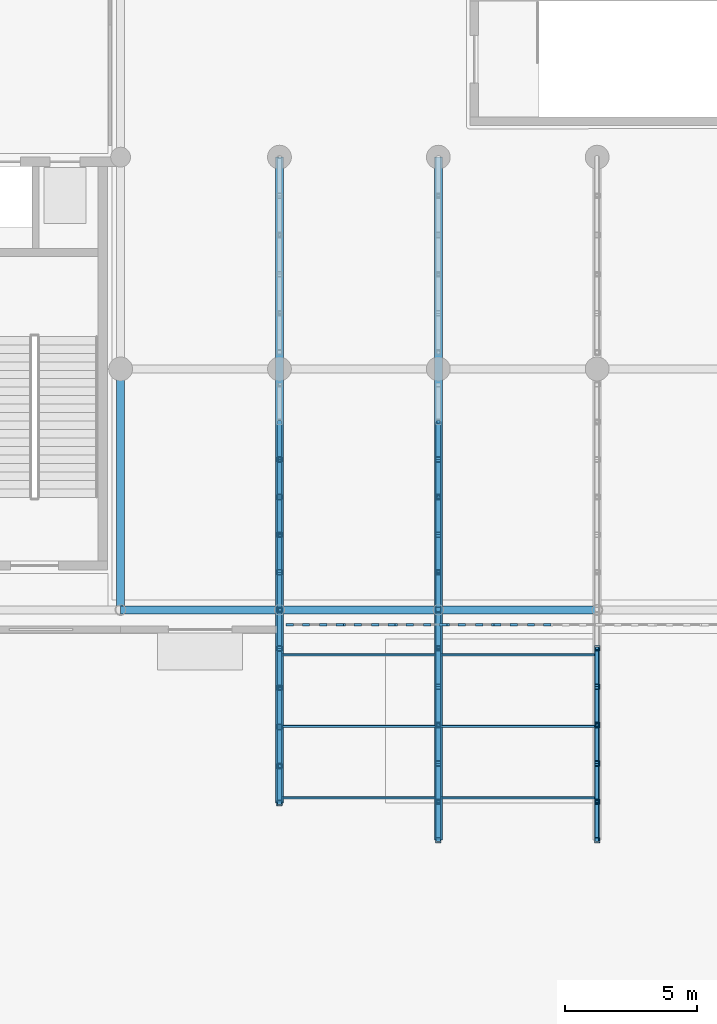
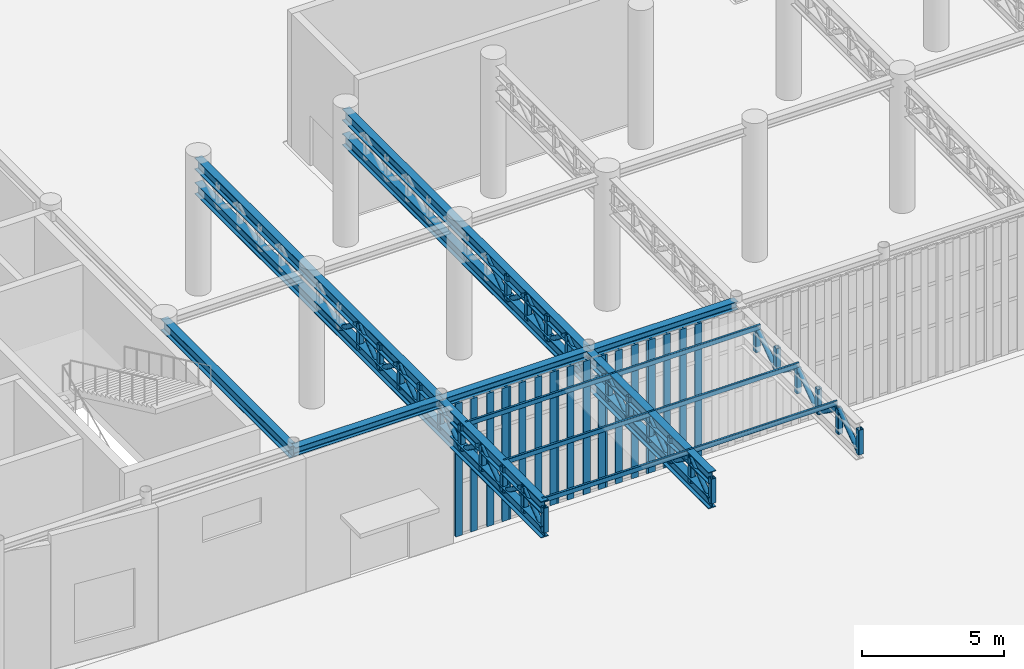
# One storey, part 22 of 118: 83 members, 4 beams, 5 elements without a shape of their own.
"""IFC4 building model written with IfcOpenShell, lengths in metres."""

from ifc_helpers import new_model, si_unit, direction, frame, origin, origin_2d, place, context, subcontext, project, spatial, rectangle, hollow_rectangle, hollow_circle, i_section, extrude, material, material_profile, profile_set, type_object, element, aggregate, save


model = new_model("IFC4")

# Units and contexts
model_context = context("Model", 3, precision=1e-05, world=origin(), true_north=direction((0.0, 1.0)))
body_context = subcontext(model_context, "Body", "Model", "MODEL_VIEW")
ifc_project = project(units=[si_unit("LENGTHUNIT", "METRE"), si_unit("AREAUNIT", "SQUARE_METRE"), si_unit("VOLUMEUNIT", "CUBIC_METRE"), si_unit("PLANEANGLEUNIT", "RADIAN"), si_unit("MASSUNIT", "GRAM", prefix="KILO")], contexts=[model_context])

# Site, building, storey
site_placement = place(None, origin())
site = spatial("IfcSite", under=ifc_project, at=site_placement, CompositionType="ELEMENT")
building_placement = place(site_placement, origin())
building = spatial("IfcBuilding", under=site, at=building_placement, Name="Kolvaren Corner Interchange", CompositionType="ELEMENT")
storey_placement = place(building_placement, origin())
storey = spatial("IfcBuildingStorey", under=building, at=storey_placement, Name="L01", CompositionType="ELEMENT", Elevation=0.0)

# Beams
ifc_material_1 = material(Name="Steel S355", Category="steel")
ifc_material_profile_1 = material_profile(ifc_material_1, i_section(OverallWidth=0.300048828125, OverallDepth=0.35009765625, WebThickness=0.010009765625, FlangeThickness=0.017578125, FilletRadius=0.027099609375, at=origin_2d()), Name="HEA 360")
ifc_profile_set_1 = profile_set([ifc_material_profile_1], Name="Steel S355")
beam_type_1 = type_object("IfcBeamType", Name="BM-HEA360", PredefinedType="BEAM", material=ifc_profile_set_1)
for number, where, z_axis, x_axis, name in (
    (1, (66.0, 24.89990234375, 5.574951171875), (1.0, 0.0, 0.0), (0.0, 1.0, 0.0), "Storey L01 Grid X Primary Girder 0214"),
    (2, (72.0, 24.89990234375, 5.574951171875), (1.0, 0.0, 0.0), (0.0, 1.0, 0.0), "Storey L01 Grid X Primary Girder 0215"),
    (3, (78.0, 24.89990234375, 5.574951171875), (1.0, 0.0, 0.0), (0.0, 1.0, 0.0), "Storey L01 Grid X Primary Girder 0216"),
):
    element("IfcBeam", number, at=place(storey_placement, frame(where, z_axis=z_axis, x_axis=x_axis)), inside=storey, type_object=beam_type_1, Name=name, PredefinedType="BEAM", context=body_context, shape_type="SweptSolid", body=[
        extrude(i_section(OverallWidth=0.300048828125, OverallDepth=0.35009765625, WebThickness=0.010009765625, FlangeThickness=0.017578125, FilletRadius=0.027099609375, at=origin_2d()), origin(), (0.0, 0.0, 1.0), 6.0),
    ])
ifc_material_2 = material(Name="Steel S355", Category="steel")
ifc_material_profile_2 = material_profile(ifc_material_2, i_section(OverallWidth=0.300048828125, OverallDepth=0.489990234375, WebThickness=0.011962890625, FlangeThickness=0.02294921875, FilletRadius=0.027099609375, at=origin_2d()), Name="HEA 500")
ifc_profile_set_2 = profile_set([ifc_material_profile_2], Name="Steel S355")
beam_type_2 = type_object("IfcBeamType", Name="BM-HEA500", PredefinedType="BEAM", material=ifc_profile_set_2)
beam_placement = place(storey_placement, frame((66.0, 24.89990234375, 5.5048828125), z_axis=(0.0, 1.0, 0.0), x_axis=(-1.0, 0.0, 0.0)))
element("IfcBeam", 4, at=beam_placement, inside=storey, type_object=beam_type_2, Name="Storey L01 Grid Y Primary Girder 0346", PredefinedType="BEAM", context=body_context, shape_type="SweptSolid", body=[
    extrude(i_section(OverallWidth=0.300048828125, OverallDepth=0.489990234375, WebThickness=0.011962890625, FlangeThickness=0.02294921875, FilletRadius=0.027099609375, at=origin_2d()), origin(), (0.0, 0.0, 1.0), 9.10009765625),
])

# Members
ifc_material_3 = material(Name="Steel S355", Category="steel")
ifc_material_profile_3 = material_profile(ifc_material_3, hollow_circle(Radius=0.096923828125, WallThickness=0.010009765625, at=origin_2d()), Name="CHS 193.7x10.0")
ifc_profile_set_3 = profile_set([ifc_material_profile_3], Name="Steel S355")
member_type_1 = type_object("IfcMemberType", Name="MEM-BR-CHS194", PredefinedType="BRACE", material=ifc_profile_set_3)
member_1_placement = place(storey_placement, frame((72.0, 17.60009765625, 4.409912109375), z_axis=(0.0, 0.797221916597, 0.6036863554), x_axis=(-1.0, 0.0, 0.0)))
element("IfcMember", 5, at=member_1_placement, inside=storey, type_object=member_type_1, Name="South Portal Cantilever Roof Truss L02 Line 1 Diagonal 01", PredefinedType="BRACE", context=body_context, shape_type="SweptSolid", body=[
    extrude(hollow_circle(Radius=0.096923828125, WallThickness=0.010009765625, at=origin_2d()), origin(), (0.0, 0.0, 1.0), 1.755859375),
])
for number, where, z_axis, x_axis, name in (
    (6, (72.0, 19.0, 5.469970703125), (0.0, 0.812971611599, -0.582303321934), (-1.0, 0.0, 0.0), "South Portal Cantilever Roof Truss L02 Line 1 Diagonal 02"),
    (7, (72.0, 20.47998046875, 4.409912109375), (0.0, 0.812971611599, 0.582303321934), (-1.0, 0.0, 0.0), "South Portal Cantilever Roof Truss L02 Line 1 Diagonal 03"),
    (8, (72.0, 21.9599609375, 5.469970703125), (0.0, 0.812971611599, -0.582303321934), (-1.0, 0.0, 0.0), "South Portal Cantilever Roof Truss L02 Line 1 Diagonal 04"),
):
    element("IfcMember", number, at=place(storey_placement, frame(where, z_axis=z_axis, x_axis=x_axis)), inside=storey, type_object=member_type_1, Name=name, PredefinedType="BRACE", context=body_context, shape_type="SweptSolid", body=[
        extrude(hollow_circle(Radius=0.096923828125, WallThickness=0.010009765625, at=origin_2d()), origin(), (0.0, 0.0, 1.0), 1.820556640625),
    ])
member_2_placement = place(storey_placement, frame((72.0, 23.43994140625, 4.409912109375), z_axis=(0.0, 0.809192259471, 0.58754394492), x_axis=(-1.0, 0.0, 0.0)))
element("IfcMember", 9, at=member_2_placement, inside=storey, type_object=member_type_1, Name="South Portal Cantilever Roof Truss L02 Line 1 Diagonal 05", PredefinedType="BRACE", context=body_context, shape_type="SweptSolid", body=[
    extrude(hollow_circle(Radius=0.096923828125, WallThickness=0.010009765625, at=origin_2d()), origin(), (0.0, 0.0, 1.0), 1.80419921875),
])
member_3_placement = place(storey_placement, frame((72.0, 24.89990234375, 5.469970703125), z_axis=(0.0, 0.801370032118, -0.598168932346), x_axis=(-1.0, 0.0, 0.0)))
element("IfcMember", 10, at=member_3_placement, inside=storey, type_object=member_type_1, Name="South Portal Cantilever Roof Truss L02 Line 1 Diagonal 06", PredefinedType="BRACE", context=body_context, shape_type="SweptSolid", body=[
    extrude(hollow_circle(Radius=0.096923828125, WallThickness=0.010009765625, at=origin_2d()), origin(), (0.0, 0.0, 1.0), 1.772216796875),
])
for number, where, z_axis, x_axis, name in (
    (11, (72.0, 26.320068359375, 4.409912109375), (0.0, 0.801320731352, 0.59823497516), (-1.0, 0.0, 0.0), "South Portal Cantilever Roof Truss L02 Line 1 Diagonal 07"),
    (12, (72.0, 27.739990234375, 5.469970703125), (0.0, 0.801320731352, -0.59823497516), (-1.0, 0.0, 0.0), "South Portal Cantilever Roof Truss L02 Line 1 Diagonal 08"),
):
    element("IfcMember", number, at=place(storey_placement, frame(where, z_axis=z_axis, x_axis=x_axis)), inside=storey, type_object=member_type_1, Name=name, PredefinedType="BRACE", context=body_context, shape_type="SweptSolid", body=[
        extrude(hollow_circle(Radius=0.096923828125, WallThickness=0.010009765625, at=origin_2d()), origin(), (0.0, 0.0, 1.0), 1.77197265625),
    ])
member_4_placement = place(storey_placement, frame((72.0, 29.159912109375, 4.409912109375), z_axis=(0.0, 0.801370032118, 0.598168932346), x_axis=(-1.0, 0.0, 0.0)))
element("IfcMember", 13, at=member_4_placement, inside=storey, type_object=member_type_1, Name="South Portal Cantilever Roof Truss L02 Line 1 Diagonal 09", PredefinedType="BRACE", context=body_context, shape_type="SweptSolid", body=[
    extrude(hollow_circle(Radius=0.096923828125, WallThickness=0.010009765625, at=origin_2d()), origin(), (0.0, 0.0, 1.0), 1.772216796875),
])
member_5_placement = place(storey_placement, frame((72.0, 30.580078125, 5.469970703125), z_axis=(0.0, 0.801320731352, -0.59823497516), x_axis=(-1.0, 0.0, 0.0)))
element("IfcMember", 14, at=member_5_placement, inside=storey, type_object=member_type_1, Name="South Portal Cantilever Roof Truss L02 Line 1 Diagonal 10", PredefinedType="BRACE", context=body_context, shape_type="SweptSolid", body=[
    extrude(hollow_circle(Radius=0.096923828125, WallThickness=0.010009765625, at=origin_2d()), origin(), (0.0, 0.0, 1.0), 1.77197265625),
])
member_6_placement = place(storey_placement, frame((78.0, 16.199951171875, 4.409912109375), z_axis=(0.0, 0.807264090797, 0.590190382597), x_axis=(-1.0, 0.0, 0.0)))
element("IfcMember", 15, at=member_6_placement, inside=storey, type_object=member_type_1, Name="South Portal Cantilever Roof Truss L02 Line 2 Diagonal 01", PredefinedType="BRACE", context=body_context, shape_type="SweptSolid", body=[
    extrude(hollow_circle(Radius=0.096923828125, WallThickness=0.010009765625, at=origin_2d()), origin(), (0.0, 0.0, 1.0), 1.796142578125),
])
member_7_placement = place(storey_placement, frame((78.0, 17.64990234375, 5.469970703125), z_axis=(0.0, 0.807311429362, -0.590125627321), x_axis=(-1.0, 0.0, 0.0)))
element("IfcMember", 16, at=member_7_placement, inside=storey, type_object=member_type_1, Name="South Portal Cantilever Roof Truss L02 Line 2 Diagonal 02", PredefinedType="BRACE", context=body_context, shape_type="SweptSolid", body=[
    extrude(hollow_circle(Radius=0.096923828125, WallThickness=0.010009765625, at=origin_2d()), origin(), (0.0, 0.0, 1.0), 1.79638671875),
])
for number, where, z_axis, x_axis, name in (
    (17, (78.0, 19.10009765625, 4.409912109375), (0.0, 0.807264090797, 0.590190382597), (-1.0, 0.0, 0.0), "South Portal Cantilever Roof Truss L02 Line 2 Diagonal 03"),
    (18, (78.0, 20.550048828125, 5.469970703125), (0.0, 0.807264090797, -0.590190382597), (-1.0, 0.0, 0.0), "South Portal Cantilever Roof Truss L02 Line 2 Diagonal 04"),
    (19, (78.0, 22.0, 4.409912109375), (0.0, 0.807264090797, 0.590190382597), (-1.0, 0.0, 0.0), "South Portal Cantilever Roof Truss L02 Line 2 Diagonal 05"),
    (20, (78.0, 23.449951171875, 5.469970703125), (0.0, 0.807264090797, -0.590190382597), (-1.0, 0.0, 0.0), "South Portal Cantilever Roof Truss L02 Line 2 Diagonal 06"),
):
    element("IfcMember", number, at=place(storey_placement, frame(where, z_axis=z_axis, x_axis=x_axis)), inside=storey, type_object=member_type_1, Name=name, PredefinedType="BRACE", context=body_context, shape_type="SweptSolid", body=[
        extrude(hollow_circle(Radius=0.096923828125, WallThickness=0.010009765625, at=origin_2d()), origin(), (0.0, 0.0, 1.0), 1.796142578125),
    ])
member_8_placement = place(storey_placement, frame((78.0, 24.89990234375, 4.409912109375), z_axis=(0.0, 0.801370032118, 0.598168932346), x_axis=(-1.0, 0.0, 0.0)))
element("IfcMember", 21, at=member_8_placement, inside=storey, type_object=member_type_1, Name="South Portal Cantilever Roof Truss L02 Line 2 Diagonal 07", PredefinedType="BRACE", context=body_context, shape_type="SweptSolid", body=[
    extrude(hollow_circle(Radius=0.096923828125, WallThickness=0.010009765625, at=origin_2d()), origin(), (0.0, 0.0, 1.0), 1.772216796875),
])
for number, where, z_axis, x_axis, name in (
    (22, (78.0, 26.320068359375, 5.469970703125), (0.0, 0.801320731352, -0.59823497516), (-1.0, 0.0, 0.0), "South Portal Cantilever Roof Truss L02 Line 2 Diagonal 08"),
    (23, (78.0, 27.739990234375, 4.409912109375), (0.0, 0.801320731352, 0.59823497516), (-1.0, 0.0, 0.0), "South Portal Cantilever Roof Truss L02 Line 2 Diagonal 09"),
):
    element("IfcMember", number, at=place(storey_placement, frame(where, z_axis=z_axis, x_axis=x_axis)), inside=storey, type_object=member_type_1, Name=name, PredefinedType="BRACE", context=body_context, shape_type="SweptSolid", body=[
        extrude(hollow_circle(Radius=0.096923828125, WallThickness=0.010009765625, at=origin_2d()), origin(), (0.0, 0.0, 1.0), 1.77197265625),
    ])
member_9_placement = place(storey_placement, frame((78.0, 29.159912109375, 5.469970703125), z_axis=(0.0, 0.801370032118, -0.598168932346), x_axis=(-1.0, 0.0, 0.0)))
element("IfcMember", 24, at=member_9_placement, inside=storey, type_object=member_type_1, Name="South Portal Cantilever Roof Truss L02 Line 2 Diagonal 10", PredefinedType="BRACE", context=body_context, shape_type="SweptSolid", body=[
    extrude(hollow_circle(Radius=0.096923828125, WallThickness=0.010009765625, at=origin_2d()), origin(), (0.0, 0.0, 1.0), 1.772216796875),
])
member_10_placement = place(storey_placement, frame((78.0, 30.580078125, 4.409912109375), z_axis=(0.0, 0.801320731352, 0.59823497516), x_axis=(-1.0, 0.0, 0.0)))
element("IfcMember", 25, at=member_10_placement, inside=storey, type_object=member_type_1, Name="South Portal Cantilever Roof Truss L02 Line 2 Diagonal 11", PredefinedType="BRACE", context=body_context, shape_type="SweptSolid", body=[
    extrude(hollow_circle(Radius=0.096923828125, WallThickness=0.010009765625, at=origin_2d()), origin(), (0.0, 0.0, 1.0), 1.77197265625),
])
member_11_placement = place(storey_placement, frame((84.0, 16.199951171875, 4.409912109375), z_axis=(0.0, 0.807264090797, 0.590190382597), x_axis=(-1.0, 0.0, 0.0)))
element("IfcMember", 26, at=member_11_placement, inside=storey, type_object=member_type_1, Name="South Portal Cantilever Roof Truss L02 Line 3 Diagonal 01", PredefinedType="BRACE", context=body_context, shape_type="SweptSolid", body=[
    extrude(hollow_circle(Radius=0.096923828125, WallThickness=0.010009765625, at=origin_2d()), origin(), (0.0, 0.0, 1.0), 1.796142578125),
])
member_12_placement = place(storey_placement, frame((84.0, 17.64990234375, 5.469970703125), z_axis=(0.0, 0.807311429362, -0.590125627321), x_axis=(-1.0, 0.0, 0.0)))
element("IfcMember", 27, at=member_12_placement, inside=storey, type_object=member_type_1, Name="South Portal Cantilever Roof Truss L02 Line 3 Diagonal 02", PredefinedType="BRACE", context=body_context, shape_type="SweptSolid", body=[
    extrude(hollow_circle(Radius=0.096923828125, WallThickness=0.010009765625, at=origin_2d()), origin(), (0.0, 0.0, 1.0), 1.79638671875),
])
for number, where, z_axis, x_axis, name in (
    (28, (84.0, 19.10009765625, 4.409912109375), (0.0, 0.807264090797, 0.590190382597), (-1.0, 0.0, 0.0), "South Portal Cantilever Roof Truss L02 Line 3 Diagonal 03"),
    (29, (84.0, 20.550048828125, 5.469970703125), (0.0, 0.807264090797, -0.590190382597), (-1.0, 0.0, 0.0), "South Portal Cantilever Roof Truss L02 Line 3 Diagonal 04"),
    (30, (84.0, 22.0, 4.409912109375), (0.0, 0.807264090797, 0.590190382597), (-1.0, 0.0, 0.0), "South Portal Cantilever Roof Truss L02 Line 3 Diagonal 05"),
):
    element("IfcMember", number, at=place(storey_placement, frame(where, z_axis=z_axis, x_axis=x_axis)), inside=storey, type_object=member_type_1, Name=name, PredefinedType="BRACE", context=body_context, shape_type="SweptSolid", body=[
        extrude(hollow_circle(Radius=0.096923828125, WallThickness=0.010009765625, at=origin_2d()), origin(), (0.0, 0.0, 1.0), 1.796142578125),
    ])
ifc_material_4 = material(Name="Steel S355", Category="steel")
ifc_material_profile_4 = material_profile(ifc_material_4, i_section(OverallWidth=0.300048828125, OverallDepth=0.5, WebThickness=0.014404296875, FlangeThickness=0.028076171875, FilletRadius=0.027099609375, at=origin_2d()), Name="HEB 500")
ifc_profile_set_4 = profile_set([ifc_material_profile_4], Name="Steel S355")
member_type_2 = type_object("IfcMemberType", Name="MEM-CH-HEB500", PredefinedType="CHORD", material=ifc_profile_set_4)
for number, where, z_axis, x_axis, name in (
    (31, (72.0, 17.60009765625, 5.469970703125), (0.0, 1.0, 0.0), (-1.0, 0.0, 0.0), "South Portal Cantilever Roof Truss L02 Line 1 Top Chord"),
    (32, (72.0, 17.60009765625, 4.409912109375), (0.0, 1.0, 0.0), (-1.0, 0.0, 0.0), "South Portal Cantilever Roof Truss L02 Line 1 Bottom Chord"),
):
    element("IfcMember", number, at=place(storey_placement, frame(where, z_axis=z_axis, x_axis=x_axis)), inside=storey, type_object=member_type_2, Name=name, PredefinedType="CHORD", context=body_context, shape_type="SweptSolid", body=[
        extrude(i_section(OverallWidth=0.300048828125, OverallDepth=0.5, WebThickness=0.014404296875, FlangeThickness=0.028076171875, FilletRadius=0.027099609375, at=origin_2d()), origin(), (0.0, 0.0, 1.0), 24.39990234375),
    ])
for number, where, z_axis, x_axis, name in (
    (33, (78.0, 16.199951171875, 5.469970703125), (0.0, 1.0, 0.0), (-1.0, 0.0, 0.0), "South Portal Cantilever Roof Truss L02 Line 2 Top Chord"),
    (34, (78.0, 16.199951171875, 4.409912109375), (0.0, 1.0, 0.0), (-1.0, 0.0, 0.0), "South Portal Cantilever Roof Truss L02 Line 2 Bottom Chord"),
):
    element("IfcMember", number, at=place(storey_placement, frame(where, z_axis=z_axis, x_axis=x_axis)), inside=storey, type_object=member_type_2, Name=name, PredefinedType="CHORD", context=body_context, shape_type="SweptSolid", body=[
        extrude(i_section(OverallWidth=0.300048828125, OverallDepth=0.5, WebThickness=0.014404296875, FlangeThickness=0.028076171875, FilletRadius=0.027099609375, at=origin_2d()), origin(), (0.0, 0.0, 1.0), 25.800048828125),
    ])
ifc_material_5 = material(Name="Steel S355", Category="steel")
ifc_material_profile_5 = material_profile(ifc_material_5, hollow_rectangle(XDim=0.10009765625, YDim=0.199951171875, WallThickness=0.008056640625, InnerFilletRadius=0.008056640625, OuterFilletRadius=0.01611328125, at=origin_2d()), Name="RHS 200x100x8.0")
ifc_profile_set_5 = profile_set([ifc_material_profile_5], Name="Steel S355")
member_type_3 = type_object("IfcMemberType", Name="MEM-PR-RHS200", PredefinedType="PURLIN", material=ifc_profile_set_5)
for number, where, z_axis, x_axis, name in (
    (35, (72.0, 17.800048828125, 5.6201171875), (1.0, 0.0, 0.0), (0.0, 1.0, 0.0), "South Portal Cantilever Roof Truss L02 Purlin 1 Bay 72"),
    (36, (78.0, 17.800048828125, 5.6201171875), (1.0, 0.0, 0.0), (0.0, 1.0, 0.0), "South Portal Cantilever Roof Truss L02 Purlin 1 Bay 78"),
    (37, (72.0, 20.5, 5.6201171875), (1.0, 0.0, 0.0), (0.0, 1.0, 0.0), "South Portal Cantilever Roof Truss L02 Purlin 2 Bay 72"),
    (38, (78.0, 20.5, 5.6201171875), (1.0, 0.0, 0.0), (0.0, 1.0, 0.0), "South Portal Cantilever Roof Truss L02 Purlin 2 Bay 78"),
    (39, (72.0, 23.199951171875, 5.6201171875), (1.0, 0.0, 0.0), (0.0, 1.0, 0.0), "South Portal Cantilever Roof Truss L02 Purlin 3 Bay 72"),
    (40, (78.0, 23.199951171875, 5.6201171875), (1.0, 0.0, 0.0), (0.0, 1.0, 0.0), "South Portal Cantilever Roof Truss L02 Purlin 3 Bay 78"),
):
    element("IfcMember", number, at=place(storey_placement, frame(where, z_axis=z_axis, x_axis=x_axis)), inside=storey, type_object=member_type_3, Name=name, PredefinedType="PURLIN", context=body_context, shape_type="SweptSolid", body=[
        extrude(hollow_rectangle(XDim=0.10009765625, YDim=0.199951171875, WallThickness=0.008056640625, InnerFilletRadius=0.008056640625, OuterFilletRadius=0.01611328125, at=origin_2d()), origin(), (0.0, 0.0, 1.0), 6.0),
    ])
ifc_material_6 = material(Name="Steel S355", Category="steel")
ifc_material_profile_6 = material_profile(ifc_material_6, hollow_rectangle(XDim=0.199951171875, YDim=0.199951171875, WallThickness=0.010009765625, InnerFilletRadius=0.010009765625, OuterFilletRadius=0.02001953125, at=origin_2d()), Name="SHS 200x200x10.0")
ifc_profile_set_6 = profile_set([ifc_material_profile_6], Name="Steel S355")
member_type_4 = type_object("IfcMemberType", Name="MEM-PT-SHS200", PredefinedType="POST", material=ifc_profile_set_6)
for number, where, z_axis, x_axis, name in (
    (41, (72.0, 17.60009765625, 4.409912109375), (0.0, 0.0, 1.0), (1.0, 0.0, 0.0), "South Portal Cantilever Roof Truss L02 Line 1 Web Post 01"),
    (42, (72.0, 19.0, 4.409912109375), (0.0, 0.0, 1.0), (1.0, 0.0, 0.0), "South Portal Cantilever Roof Truss L02 Line 1 Web Post 02"),
    (43, (72.0, 20.47998046875, 4.409912109375), (0.0, 0.0, 1.0), (1.0, 0.0, 0.0), "South Portal Cantilever Roof Truss L02 Line 1 Web Post 03"),
    (44, (72.0, 21.9599609375, 4.409912109375), (0.0, 0.0, 1.0), (1.0, 0.0, 0.0), "South Portal Cantilever Roof Truss L02 Line 1 Web Post 04"),
    (45, (72.0, 23.43994140625, 4.409912109375), (0.0, 0.0, 1.0), (1.0, 0.0, 0.0), "South Portal Cantilever Roof Truss L02 Line 1 Web Post 05"),
    (46, (72.0, 24.89990234375, 4.409912109375), (0.0, 0.0, 1.0), (1.0, 0.0, 0.0), "South Portal Cantilever Roof Truss L02 Line 1 Web Post 06"),
    (47, (72.0, 26.320068359375, 4.409912109375), (0.0, 0.0, 1.0), (1.0, 0.0, 0.0), "South Portal Cantilever Roof Truss L02 Line 1 Web Post 07"),
    (48, (72.0, 27.739990234375, 4.409912109375), (0.0, 0.0, 1.0), (1.0, 0.0, 0.0), "South Portal Cantilever Roof Truss L02 Line 1 Web Post 08"),
    (49, (72.0, 29.159912109375, 4.409912109375), (0.0, 0.0, 1.0), (1.0, 0.0, 0.0), "South Portal Cantilever Roof Truss L02 Line 1 Web Post 09"),
    (50, (72.0, 30.580078125, 4.409912109375), (0.0, 0.0, 1.0), (1.0, 0.0, 0.0), "South Portal Cantilever Roof Truss L02 Line 1 Web Post 10"),
    (51, (78.0, 16.199951171875, 4.409912109375), (0.0, 0.0, 1.0), (1.0, 0.0, 0.0), "South Portal Cantilever Roof Truss L02 Line 2 Web Post 01"),
    (52, (78.0, 17.64990234375, 4.409912109375), (0.0, 0.0, 1.0), (1.0, 0.0, 0.0), "South Portal Cantilever Roof Truss L02 Line 2 Web Post 02"),
    (53, (78.0, 19.10009765625, 4.409912109375), (0.0, 0.0, 1.0), (1.0, 0.0, 0.0), "South Portal Cantilever Roof Truss L02 Line 2 Web Post 03"),
    (54, (78.0, 20.550048828125, 4.409912109375), (0.0, 0.0, 1.0), (1.0, 0.0, 0.0), "South Portal Cantilever Roof Truss L02 Line 2 Web Post 04"),
    (55, (78.0, 22.0, 4.409912109375), (0.0, 0.0, 1.0), (1.0, 0.0, 0.0), "South Portal Cantilever Roof Truss L02 Line 2 Web Post 05"),
    (56, (78.0, 23.449951171875, 4.409912109375), (0.0, 0.0, 1.0), (1.0, 0.0, 0.0), "South Portal Cantilever Roof Truss L02 Line 2 Web Post 06"),
    (57, (78.0, 24.89990234375, 4.409912109375), (0.0, 0.0, 1.0), (1.0, 0.0, 0.0), "South Portal Cantilever Roof Truss L02 Line 2 Web Post 07"),
    (58, (78.0, 26.320068359375, 4.409912109375), (0.0, 0.0, 1.0), (1.0, 0.0, 0.0), "South Portal Cantilever Roof Truss L02 Line 2 Web Post 08"),
    (59, (78.0, 27.739990234375, 4.409912109375), (0.0, 0.0, 1.0), (1.0, 0.0, 0.0), "South Portal Cantilever Roof Truss L02 Line 2 Web Post 09"),
    (60, (78.0, 29.159912109375, 4.409912109375), (0.0, 0.0, 1.0), (1.0, 0.0, 0.0), "South Portal Cantilever Roof Truss L02 Line 2 Web Post 10"),
    (61, (78.0, 30.580078125, 4.409912109375), (0.0, 0.0, 1.0), (1.0, 0.0, 0.0), "South Portal Cantilever Roof Truss L02 Line 2 Web Post 11"),
    (62, (84.0, 16.199951171875, 4.409912109375), (0.0, 0.0, 1.0), (1.0, 0.0, 0.0), "South Portal Cantilever Roof Truss L02 Line 3 Web Post 01"),
    (63, (84.0, 17.64990234375, 4.409912109375), (0.0, 0.0, 1.0), (1.0, 0.0, 0.0), "South Portal Cantilever Roof Truss L02 Line 3 Web Post 02"),
    (64, (84.0, 19.10009765625, 4.409912109375), (0.0, 0.0, 1.0), (1.0, 0.0, 0.0), "South Portal Cantilever Roof Truss L02 Line 3 Web Post 03"),
    (65, (84.0, 20.550048828125, 4.409912109375), (0.0, 0.0, 1.0), (1.0, 0.0, 0.0), "South Portal Cantilever Roof Truss L02 Line 3 Web Post 04"),
    (66, (84.0, 22.0, 4.409912109375), (0.0, 0.0, 1.0), (1.0, 0.0, 0.0), "South Portal Cantilever Roof Truss L02 Line 3 Web Post 05"),
    (67, (84.0, 23.449951171875, 4.409912109375), (0.0, 0.0, 1.0), (1.0, 0.0, 0.0), "South Portal Cantilever Roof Truss L02 Line 3 Web Post 06"),
):
    element("IfcMember", number, at=place(storey_placement, frame(where, z_axis=z_axis, x_axis=x_axis)), inside=storey, type_object=member_type_4, Name=name, PredefinedType="POST", context=body_context, shape_type="SweptSolid", body=[
        extrude(hollow_rectangle(XDim=0.199951171875, YDim=0.199951171875, WallThickness=0.010009765625, InnerFilletRadius=0.010009765625, OuterFilletRadius=0.02001953125, at=origin_2d()), origin(), (0.0, 0.0, 1.0), 1.06005859375),
    ])

# Curtain wall, members
ifc_material_7 = material(Name="Unitised Aluminium and Solar-Control Glass Curtain Wall", Category="aluminium")
curtain_wall_type = type_object("IfcCurtainWallType", Name="CW-V1-PORTAL", PredefinedType="NOTDEFINED", material=ifc_material_7)
curtain_wall_1_placement = place(storey_placement, origin())
curtain_wall_1 = element("IfcCurtainWall", 68, at=curtain_wall_1_placement, inside=storey, type_object=curtain_wall_type, Name="South Portal Ground Curtain Wall Bay 01", PredefinedType="NOTDEFINED")
ifc_material_8 = material(Name="Anodised Aluminium Framing", Category="aluminium")
ifc_material_profile_7 = material_profile(ifc_material_8, rectangle(XDim=0.080078125, YDim=0.280029296875, at=origin_2d()), Name="ALU 80x280")
ifc_profile_set_7 = profile_set([ifc_material_profile_7], Name="Anodised Aluminium Framing")
member_type_5 = type_object("IfcMemberType", Name="MUL-ALU80x280", PredefinedType="MULLION", material=ifc_profile_set_7)
member_13_placement = place(storey_placement, frame((72.389892578125, 24.340087890625, 0.0), z_axis=(0.0, 0.0, 1.0), x_axis=(0.0, 1.0, 0.0)))
member_13 = element("IfcMember", 69, at=member_13_placement, type_object=member_type_5, Name="CW-001 mullion 1", PredefinedType="MULLION", context=body_context, shape_type="SweptSolid", body=[
    extrude(rectangle(XDim=0.080078125, YDim=0.280029296875, at=origin_2d()), origin(), (0.0, 0.0, 1.0), 5.719970703125),
])
member_14_placement = place(storey_placement, frame((73.003662109375, 24.340087890625, 0.0), z_axis=(0.0, 0.0, 1.0), x_axis=(0.0, 1.0, 0.0)))
member_14 = element("IfcMember", 70, at=member_14_placement, type_object=member_type_5, Name="CW-001 mullion 2", PredefinedType="MULLION", context=body_context, shape_type="SweptSolid", body=[
    extrude(rectangle(XDim=0.080078125, YDim=0.280029296875, at=origin_2d()), origin(), (0.0, 0.0, 1.0), 5.719970703125),
])
member_15_placement = place(storey_placement, frame((73.657470703125, 24.340087890625, 0.0), z_axis=(0.0, 0.0, 1.0), x_axis=(0.0, 1.0, 0.0)))
member_15 = element("IfcMember", 71, at=member_15_placement, type_object=member_type_5, Name="CW-001 mullion 3", PredefinedType="MULLION", context=body_context, shape_type="SweptSolid", body=[
    extrude(rectangle(XDim=0.080078125, YDim=0.280029296875, at=origin_2d()), origin(), (0.0, 0.0, 1.0), 5.719970703125),
])
member_16_placement = place(storey_placement, frame((74.27099609375, 24.340087890625, 0.0), z_axis=(0.0, 0.0, 1.0), x_axis=(0.0, 1.0, 0.0)))
member_16 = element("IfcMember", 72, at=member_16_placement, type_object=member_type_5, Name="CW-001 mullion 4", PredefinedType="MULLION", context=body_context, shape_type="SweptSolid", body=[
    extrude(rectangle(XDim=0.080078125, YDim=0.280029296875, at=origin_2d()), origin(), (0.0, 0.0, 1.0), 5.719970703125),
])
aggregate(curtain_wall_1, [member_13, member_14, member_15, member_16])

curtain_wall_2_placement = place(storey_placement, origin())
curtain_wall_2 = element("IfcCurtainWall", 73, at=curtain_wall_2_placement, inside=storey, type_object=curtain_wall_type, Name="South Portal Ground Curtain Wall Bay 02", PredefinedType="NOTDEFINED")
member_17_placement = place(storey_placement, frame((74.35107421875, 24.340087890625, 0.0), z_axis=(0.0, 0.0, 1.0), x_axis=(0.0, 1.0, 0.0)))
member_17 = element("IfcMember", 74, at=member_17_placement, type_object=member_type_5, Name="CW-002 mullion 1", PredefinedType="MULLION", context=body_context, shape_type="SweptSolid", body=[
    extrude(rectangle(XDim=0.080078125, YDim=0.280029296875, at=origin_2d()), origin(), (0.0, 0.0, 1.0), 5.719970703125),
])
member_18_placement = place(storey_placement, frame((74.96484375, 24.340087890625, 0.0), z_axis=(0.0, 0.0, 1.0), x_axis=(0.0, 1.0, 0.0)))
member_18 = element("IfcMember", 75, at=member_18_placement, type_object=member_type_5, Name="CW-002 mullion 2", PredefinedType="MULLION", context=body_context, shape_type="SweptSolid", body=[
    extrude(rectangle(XDim=0.080078125, YDim=0.280029296875, at=origin_2d()), origin(), (0.0, 0.0, 1.0), 5.719970703125),
])
member_19_placement = place(storey_placement, frame((75.618408203125, 24.340087890625, 0.0), z_axis=(0.0, 0.0, 1.0), x_axis=(0.0, 1.0, 0.0)))
member_19 = element("IfcMember", 76, at=member_19_placement, type_object=member_type_5, Name="CW-002 mullion 3", PredefinedType="MULLION", context=body_context, shape_type="SweptSolid", body=[
    extrude(rectangle(XDim=0.080078125, YDim=0.280029296875, at=origin_2d()), origin(), (0.0, 0.0, 1.0), 5.719970703125),
])
member_20_placement = place(storey_placement, frame((76.232177734375, 24.340087890625, 0.0), z_axis=(0.0, 0.0, 1.0), x_axis=(0.0, 1.0, 0.0)))
member_20 = element("IfcMember", 77, at=member_20_placement, type_object=member_type_5, Name="CW-002 mullion 4", PredefinedType="MULLION", context=body_context, shape_type="SweptSolid", body=[
    extrude(rectangle(XDim=0.080078125, YDim=0.280029296875, at=origin_2d()), origin(), (0.0, 0.0, 1.0), 5.719970703125),
])
aggregate(curtain_wall_2, [member_17, member_18, member_19, member_20])

curtain_wall_3_placement = place(storey_placement, origin())
curtain_wall_3 = element("IfcCurtainWall", 78, at=curtain_wall_3_placement, inside=storey, type_object=curtain_wall_type, Name="South Portal Ground Curtain Wall Bay 03", PredefinedType="NOTDEFINED")
member_21_placement = place(storey_placement, frame((76.312255859375, 24.340087890625, 0.0), z_axis=(0.0, 0.0, 1.0), x_axis=(0.0, 1.0, 0.0)))
member_21 = element("IfcMember", 79, at=member_21_placement, type_object=member_type_5, Name="CW-003 mullion 1", PredefinedType="MULLION", context=body_context, shape_type="SweptSolid", body=[
    extrude(rectangle(XDim=0.080078125, YDim=0.280029296875, at=origin_2d()), origin(), (0.0, 0.0, 1.0), 5.719970703125),
])
member_22_placement = place(storey_placement, frame((76.92578125, 24.340087890625, 0.0), z_axis=(0.0, 0.0, 1.0), x_axis=(0.0, 1.0, 0.0)))
member_22 = element("IfcMember", 80, at=member_22_placement, type_object=member_type_5, Name="CW-003 mullion 2", PredefinedType="MULLION", context=body_context, shape_type="SweptSolid", body=[
    extrude(rectangle(XDim=0.080078125, YDim=0.280029296875, at=origin_2d()), origin(), (0.0, 0.0, 1.0), 5.719970703125),
])
member_23_placement = place(storey_placement, frame((77.57958984375, 24.340087890625, 0.0), z_axis=(0.0, 0.0, 1.0), x_axis=(0.0, 1.0, 0.0)))
member_23 = element("IfcMember", 81, at=member_23_placement, type_object=member_type_5, Name="CW-003 mullion 3", PredefinedType="MULLION", context=body_context, shape_type="SweptSolid", body=[
    extrude(rectangle(XDim=0.080078125, YDim=0.280029296875, at=origin_2d()), origin(), (0.0, 0.0, 1.0), 5.719970703125),
])
member_24_placement = place(storey_placement, frame((78.193359375, 24.340087890625, 0.0), z_axis=(0.0, 0.0, 1.0), x_axis=(0.0, 1.0, 0.0)))
member_24 = element("IfcMember", 82, at=member_24_placement, type_object=member_type_5, Name="CW-003 mullion 4", PredefinedType="MULLION", context=body_context, shape_type="SweptSolid", body=[
    extrude(rectangle(XDim=0.080078125, YDim=0.280029296875, at=origin_2d()), origin(), (0.0, 0.0, 1.0), 5.719970703125),
])
aggregate(curtain_wall_3, [member_21, member_22, member_23, member_24])

curtain_wall_4_placement = place(storey_placement, origin())
curtain_wall_4 = element("IfcCurtainWall", 83, at=curtain_wall_4_placement, inside=storey, type_object=curtain_wall_type, Name="South Portal Ground Curtain Wall Bay 04", PredefinedType="NOTDEFINED")
member_25_placement = place(storey_placement, frame((78.273193359375, 24.340087890625, 0.0), z_axis=(0.0, 0.0, 1.0), x_axis=(0.0, 1.0, 0.0)))
member_25 = element("IfcMember", 84, at=member_25_placement, type_object=member_type_5, Name="CW-004 mullion 1", PredefinedType="MULLION", context=body_context, shape_type="SweptSolid", body=[
    extrude(rectangle(XDim=0.080078125, YDim=0.280029296875, at=origin_2d()), origin(), (0.0, 0.0, 1.0), 5.719970703125),
])
member_26_placement = place(storey_placement, frame((78.886962890625, 24.340087890625, 0.0), z_axis=(0.0, 0.0, 1.0), x_axis=(0.0, 1.0, 0.0)))
member_26 = element("IfcMember", 85, at=member_26_placement, type_object=member_type_5, Name="CW-004 mullion 2", PredefinedType="MULLION", context=body_context, shape_type="SweptSolid", body=[
    extrude(rectangle(XDim=0.080078125, YDim=0.280029296875, at=origin_2d()), origin(), (0.0, 0.0, 1.0), 5.719970703125),
])
member_27_placement = place(storey_placement, frame((79.540771484375, 24.340087890625, 0.0), z_axis=(0.0, 0.0, 1.0), x_axis=(0.0, 1.0, 0.0)))
member_27 = element("IfcMember", 86, at=member_27_placement, type_object=member_type_5, Name="CW-004 mullion 3", PredefinedType="MULLION", context=body_context, shape_type="SweptSolid", body=[
    extrude(rectangle(XDim=0.080078125, YDim=0.280029296875, at=origin_2d()), origin(), (0.0, 0.0, 1.0), 5.719970703125),
])
member_28_placement = place(storey_placement, frame((80.154296875, 24.340087890625, 0.0), z_axis=(0.0, 0.0, 1.0), x_axis=(0.0, 1.0, 0.0)))
member_28 = element("IfcMember", 87, at=member_28_placement, type_object=member_type_5, Name="CW-004 mullion 4", PredefinedType="MULLION", context=body_context, shape_type="SweptSolid", body=[
    extrude(rectangle(XDim=0.080078125, YDim=0.280029296875, at=origin_2d()), origin(), (0.0, 0.0, 1.0), 5.719970703125),
])
aggregate(curtain_wall_4, [member_25, member_26, member_27, member_28])

curtain_wall_5_placement = place(storey_placement, origin())
curtain_wall_5 = element("IfcCurtainWall", 88, at=curtain_wall_5_placement, inside=storey, type_object=curtain_wall_type, Name="South Portal Ground Curtain Wall Bay 05", PredefinedType="NOTDEFINED")
member_29_placement = place(storey_placement, frame((80.234375, 24.340087890625, 0.0), z_axis=(0.0, 0.0, 1.0), x_axis=(0.0, 1.0, 0.0)))
member_29 = element("IfcMember", 89, at=member_29_placement, type_object=member_type_5, Name="CW-005 mullion 1", PredefinedType="MULLION", context=body_context, shape_type="SweptSolid", body=[
    extrude(rectangle(XDim=0.080078125, YDim=0.280029296875, at=origin_2d()), origin(), (0.0, 0.0, 1.0), 5.719970703125),
])
member_30_placement = place(storey_placement, frame((80.84814453125, 24.340087890625, 0.0), z_axis=(0.0, 0.0, 1.0), x_axis=(0.0, 1.0, 0.0)))
member_30 = element("IfcMember", 90, at=member_30_placement, type_object=member_type_5, Name="CW-005 mullion 2", PredefinedType="MULLION", context=body_context, shape_type="SweptSolid", body=[
    extrude(rectangle(XDim=0.080078125, YDim=0.280029296875, at=origin_2d()), origin(), (0.0, 0.0, 1.0), 5.719970703125),
])
member_31_placement = place(storey_placement, frame((81.501953125, 24.340087890625, 0.0), z_axis=(0.0, 0.0, 1.0), x_axis=(0.0, 1.0, 0.0)))
member_31 = element("IfcMember", 91, at=member_31_placement, type_object=member_type_5, Name="CW-005 mullion 3", PredefinedType="MULLION", context=body_context, shape_type="SweptSolid", body=[
    extrude(rectangle(XDim=0.080078125, YDim=0.280029296875, at=origin_2d()), origin(), (0.0, 0.0, 1.0), 5.719970703125),
])
member_32_placement = place(storey_placement, frame((82.115478515625, 24.340087890625, 0.0), z_axis=(0.0, 0.0, 1.0), x_axis=(0.0, 1.0, 0.0)))
member_32 = element("IfcMember", 92, at=member_32_placement, type_object=member_type_5, Name="CW-005 mullion 4", PredefinedType="MULLION", context=body_context, shape_type="SweptSolid", body=[
    extrude(rectangle(XDim=0.080078125, YDim=0.280029296875, at=origin_2d()), origin(), (0.0, 0.0, 1.0), 5.719970703125),
])
aggregate(curtain_wall_5, [member_29, member_30, member_31, member_32])

save(model, "model.ifc")
